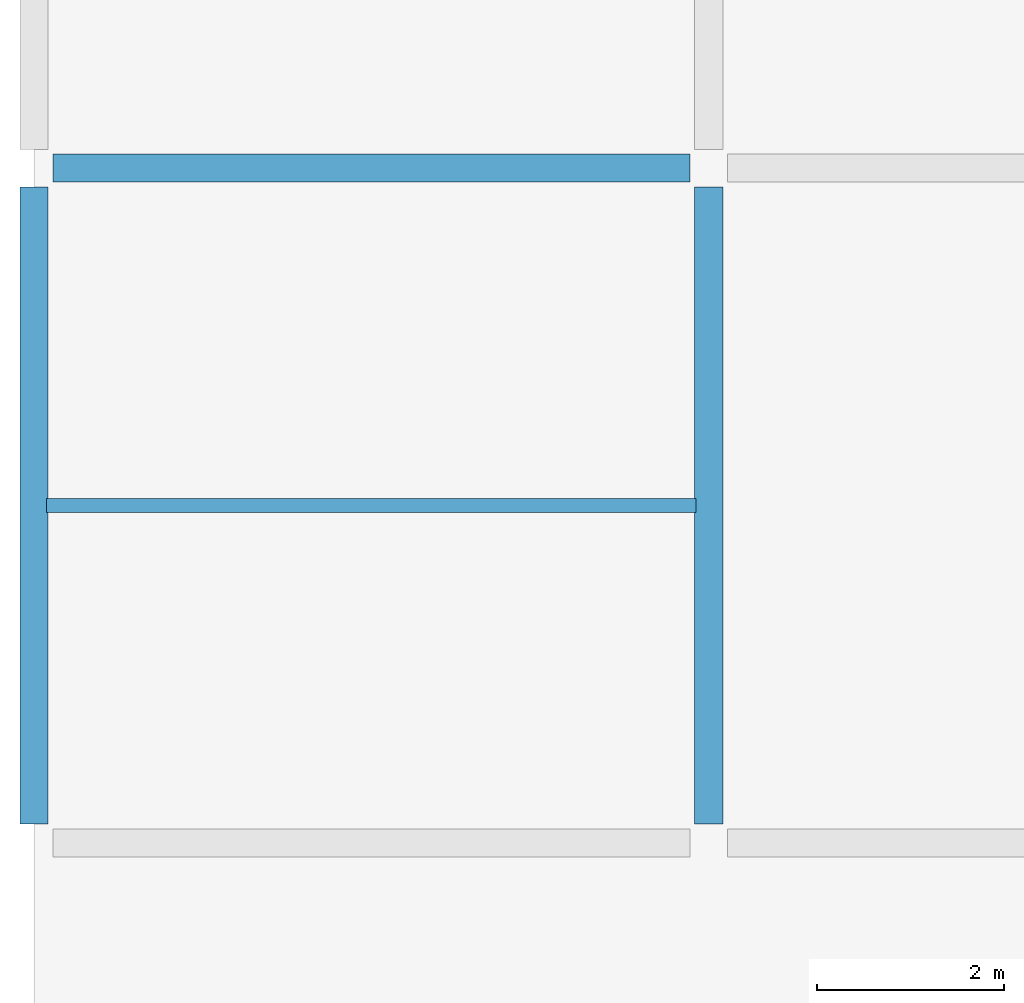
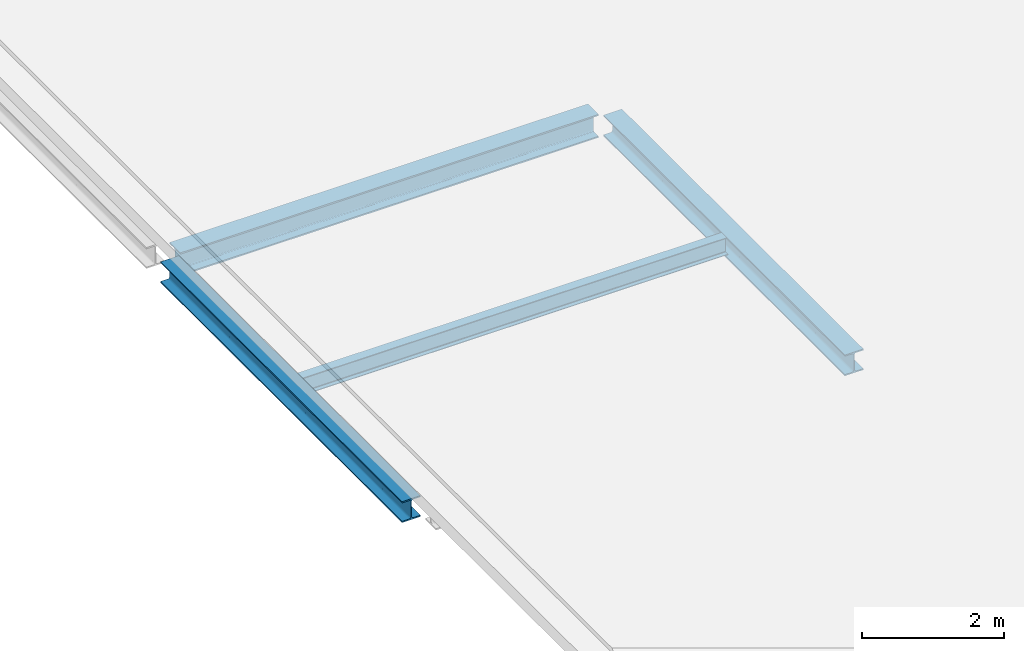
# One storey, part 10 of 397: 4 beams.
"""IFC4 building model written with IfcOpenShell, lengths in metres."""

from ifc_helpers import new_model, si_unit, direction, frame, origin, origin_2d, place, context, subcontext, project, spatial, i_section, extrude, material, material_profile, profile_set, type_object, element, save


model = new_model("IFC4")

# Units and contexts
model_context = context("Model", 3, precision=1e-05, world=origin(), true_north=direction((0.0, 1.0)))
body_context = subcontext(model_context, "Body", "Model", "MODEL_VIEW")
ifc_project = project(units=[si_unit("LENGTHUNIT", "METRE"), si_unit("AREAUNIT", "SQUARE_METRE"), si_unit("VOLUMEUNIT", "CUBIC_METRE"), si_unit("PLANEANGLEUNIT", "RADIAN"), si_unit("MASSUNIT", "GRAM", prefix="KILO")], contexts=[model_context])

# Site, building, storey
site_placement = place(None, origin())
site = spatial("IfcSite", under=ifc_project, at=site_placement, CompositionType="ELEMENT")
building_placement = place(site_placement, origin())
building = spatial("IfcBuilding", under=site, at=building_placement, Name="Qandorah Velis Arena", CompositionType="ELEMENT")
storey_placement = place(building_placement, frame((0.0, 0.0, 27.5)))
storey = spatial("IfcBuildingStorey", under=building, at=storey_placement, Name="RF", CompositionType="ELEMENT", Elevation=27.5)

# Beams
ifc_material = material(Name="Steel S355", Category="steel")
ifc_material_profile_1 = material_profile(ifc_material, i_section(OverallWidth=0.300048828125, OverallDepth=0.360107421875, WebThickness=0.012451171875, FlangeThickness=0.0224609375, FilletRadius=0.027099609375, at=origin_2d()), Name="HEB 360")
ifc_profile_set_1 = profile_set([ifc_material_profile_1], Name="Steel S355")
beam_type_1 = type_object("IfcBeamType", Name="STR-BM-HEB360", PredefinedType="BEAM", material=ifc_profile_set_1)
for number, where, z_axis, x_axis, name in (
    (1, (0.0, 21.800048828125, -0.39990234375), (0.0, 1.0, 0.0), (-1.0, 0.0, 0.0), "Primary floor girder RF Y-063"),
    (2, (7.199951171875, 21.800048828125, -0.39990234375), (0.0, 1.0, 0.0), (-1.0, 0.0, 0.0), "Primary floor girder RF Y-075"),
):
    element("IfcBeam", number, at=place(storey_placement, frame(where, z_axis=z_axis, x_axis=x_axis)), inside=storey, type_object=beam_type_1, Name=name, PredefinedType="BEAM", context=body_context, shape_type="SweptSolid", body=[
        extrude(i_section(OverallWidth=0.300048828125, OverallDepth=0.360107421875, WebThickness=0.012451171875, FlangeThickness=0.0224609375, FilletRadius=0.027099609375, at=origin_2d()), origin(), (0.0, 0.0, 1.0), 6.800048828125),
    ])
ifc_material_profile_2 = material_profile(ifc_material, i_section(OverallWidth=0.300048828125, OverallDepth=0.39990234375, WebThickness=0.013427734375, FlangeThickness=0.02392578125, FilletRadius=0.027099609375, at=origin_2d()), Name="HEB 400")
ifc_profile_set_2 = profile_set([ifc_material_profile_2], Name="Steel S355")
beam_type_2 = type_object("IfcBeamType", Name="STR-BM-HEB400", PredefinedType="BEAM", material=ifc_profile_set_2)
beam_1_placement = place(storey_placement, frame((0.199951171875, 28.800048828125, -0.419921875), z_axis=(1.0, 0.0, 0.0), x_axis=(0.0, 1.0, 0.0)))
element("IfcBeam", 3, at=beam_1_placement, inside=storey, type_object=beam_type_2, Name="Primary floor girder RF X-021", PredefinedType="BEAM", context=body_context, shape_type="SweptSolid", body=[
    extrude(i_section(OverallWidth=0.300048828125, OverallDepth=0.39990234375, WebThickness=0.013427734375, FlangeThickness=0.02392578125, FilletRadius=0.027099609375, at=origin_2d()), origin(), (0.0, 0.0, 1.0), 6.800048828125),
])
ifc_material_profile_3 = material_profile(ifc_material, i_section(OverallWidth=0.14990234375, OverallDepth=0.300048828125, WebThickness=0.007080078125, FlangeThickness=0.0107421875, FilletRadius=0.014892578125, at=origin_2d()), Name="IPE 300")
ifc_profile_set_3 = profile_set([ifc_material_profile_3], Name="Steel S355")
beam_type_3 = type_object("IfcBeamType", Name="STR-JST-IPE300", PredefinedType="JOIST", material=ifc_profile_set_3)
beam_2_placement = place(storey_placement, frame((0.135009765625, 25.199951171875, -0.3701171875), z_axis=(1.0, 0.0, 0.0), x_axis=(0.0, 1.0, 0.0)))
element("IfcBeam", 4, at=beam_2_placement, inside=storey, type_object=beam_type_3, Name="Secondary floor joist RF-001", PredefinedType="JOIST", context=body_context, shape_type="SweptSolid", body=[
    extrude(i_section(OverallWidth=0.14990234375, OverallDepth=0.300048828125, WebThickness=0.007080078125, FlangeThickness=0.0107421875, FilletRadius=0.014892578125, at=origin_2d()), origin(), (0.0, 0.0, 1.0), 6.929931640625),
])

save(model, "model.ifc")
